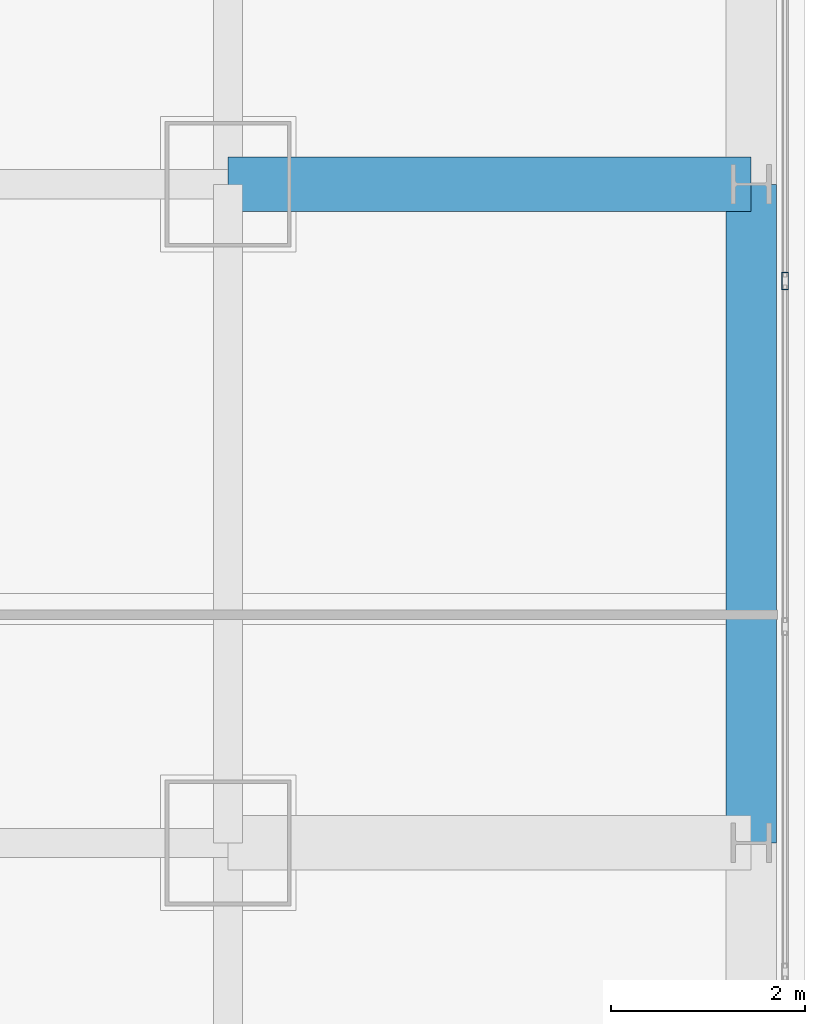
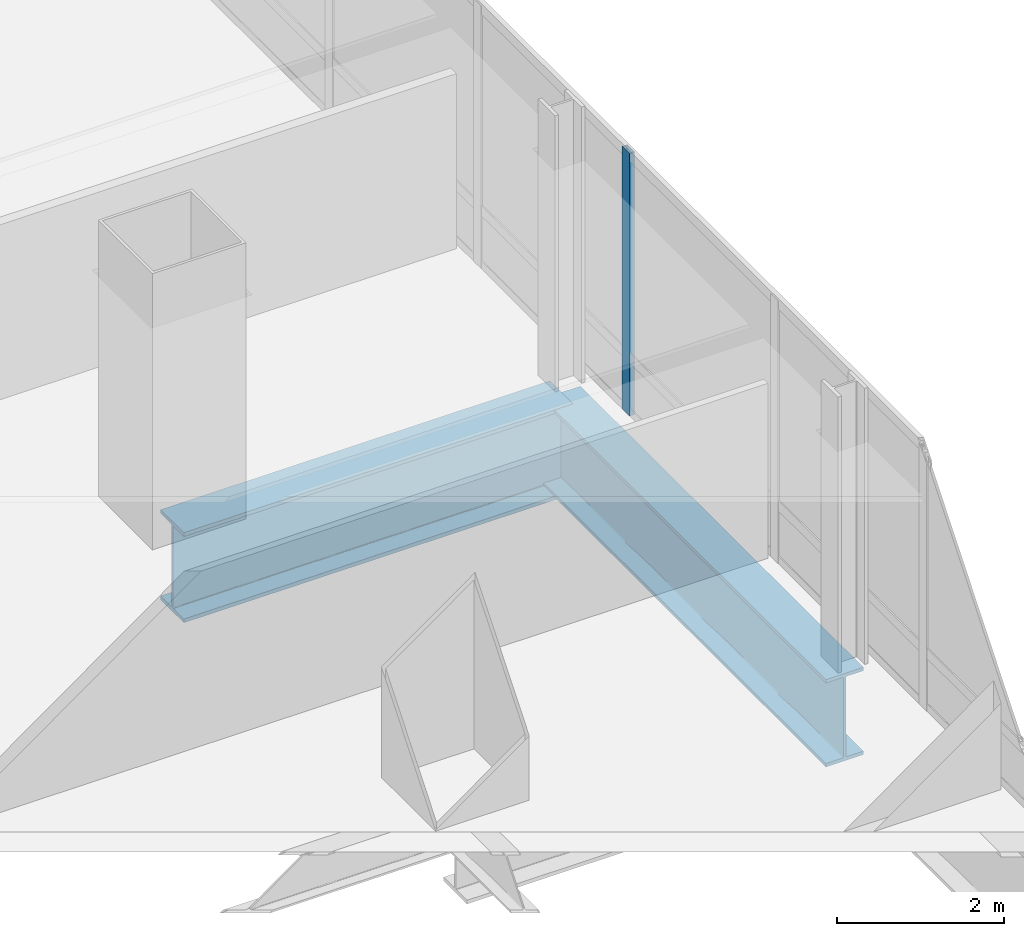
# One storey, part 19 of 42: 2 beams, 1 member, 1 element without a shape of its own.
"""IFC4 building model written with IfcOpenShell, lengths in metres."""

from ifc_helpers import new_model, si_unit, direction, frame, origin, origin_2d, place, context, subcontext, project, spatial, hollow_rectangle, i_section, extrude, material, material_profile, profile_set, type_object, element, aggregate, save


model = new_model("IFC4")

# Units and contexts
model_context = context("Model", 3, precision=1e-05, world=origin(), true_north=direction((0.0, 1.0)))
body_context = subcontext(model_context, "Body", "Model", "MODEL_VIEW")
ifc_project = project(units=[si_unit("LENGTHUNIT", "METRE"), si_unit("AREAUNIT", "SQUARE_METRE"), si_unit("VOLUMEUNIT", "CUBIC_METRE"), si_unit("PLANEANGLEUNIT", "RADIAN"), si_unit("MASSUNIT", "GRAM", prefix="KILO")], contexts=[model_context])

# Site, building, storey
site_placement = place(None, origin())
site = spatial("IfcSite", under=ifc_project, at=site_placement, CompositionType="ELEMENT")
building_placement = place(site_placement, origin())
building = spatial("IfcBuilding", under=site, at=building_placement, Name="Punatoya Terracotta Tower", CompositionType="ELEMENT")
storey_placement = place(building_placement, frame((0.0, 0.0, 263.550048828125)))
storey = spatial("IfcBuildingStorey", under=building, at=storey_placement, Name="L62", CompositionType="ELEMENT", Elevation=263.550048828125)

# Beams
ifc_material_1 = material(Name="Steel S460", Category="steel")
ifc_material_profile_1 = material_profile(ifc_material_1, i_section(OverallWidth=0.56005859375, OverallDepth=1.320068359375, WebThickness=0.035888671875, FlangeThickness=0.054931640625, FilletRadius=0.01806640625, at=origin_2d()))
ifc_profile_set_1 = profile_set([ifc_material_profile_1], Name="Steel S460")
beam_type_1 = type_object("IfcBeamType", Name="BM-TG-BLK", PredefinedType="BEAM", material=ifc_profile_set_1)
beam_1_placement = place(storey_placement, frame((19.10009765625, 3.39990234375, -0.860107421875), z_axis=(1.0, 0.0, 0.0), x_axis=(0.0, 1.0, 0.0)))
element("IfcBeam", 1, at=beam_1_placement, inside=storey, type_object=beam_type_1, Name="BM-L62-CANT-E3", PredefinedType="BEAM", context=body_context, shape_type="SweptSolid", body=[
    extrude(i_section(OverallWidth=0.56005859375, OverallDepth=1.320068359375, WebThickness=0.035888671875, FlangeThickness=0.054931640625, FilletRadius=0.01806640625, at=origin_2d()), origin(), (0.0, 0.0, 1.0), 5.39990234375),
])
ifc_material_profile_2 = material_profile(ifc_material_1, i_section(OverallWidth=0.52001953125, OverallDepth=1.280029296875, WebThickness=0.031982421875, FlangeThickness=0.050048828125, FilletRadius=0.01806640625, at=origin_2d()))
ifc_profile_set_2 = profile_set([ifc_material_profile_2], Name="Steel S460")
beam_type_2 = type_object("IfcBeamType", Name="BM-TG-NCK", PredefinedType="BEAM", material=ifc_profile_set_2)
beam_2_placement = place(storey_placement, frame((24.5, -3.39990234375, -0.840087890625), z_axis=(0.0, 1.0, 0.0), x_axis=(-1.0, 0.0, 0.0)))
element("IfcBeam", 2, at=beam_2_placement, inside=storey, type_object=beam_type_2, Name="BM-L62-PER-E2", PredefinedType="BEAM", context=body_context, shape_type="SweptSolid", body=[
    extrude(i_section(OverallWidth=0.52001953125, OverallDepth=1.280029296875, WebThickness=0.031982421875, FlangeThickness=0.050048828125, FilletRadius=0.01806640625, at=origin_2d()), origin(), (0.0, 0.0, 1.0), 6.7998046875),
])

# Curtain wall, member
ifc_material_2 = material(Name="Aluminium 6063-T6 + Double Low-E Glass", Category="aluminium")
curtain_wall_type = type_object("IfcCurtainWallType", Name="CW-M3", PredefinedType="NOTDEFINED", material=ifc_material_2)
curtain_wall_placement = place(storey_placement, origin())
curtain_wall = element("IfcCurtainWall", 3, at=curtain_wall_placement, inside=storey, type_object=curtain_wall_type, Name="L62 Curtain Wall CW-L62-E05-1", PredefinedType="NOTDEFINED")
ifc_material_3 = material(Name="Aluminium 6063-T6", Category="aluminium")
ifc_material_profile_3 = material_profile(ifc_material_3, hollow_rectangle(XDim=0.070068359375, YDim=0.179931640625, WallThickness=0.00390625, at=origin_2d()))
ifc_profile_set_3 = profile_set([ifc_material_profile_3], Name="Aluminium 6063-T6")
member_type = type_object("IfcMemberType", Name="CW-MUL-M3", PredefinedType="MULLION", material=ifc_profile_set_3)
member_placement = place(storey_placement, frame((24.85009765625, 2.39990234375, 0.0), z_axis=(0.0, 0.0, 1.0), x_axis=(1.0, 0.0, 0.0)))
member = element("IfcMember", 4, at=member_placement, type_object=member_type, Name="CW-L62-E05-1 Mullion 05", PredefinedType="MULLION", context=body_context, shape_type="SweptSolid", body=[
    extrude(hollow_rectangle(XDim=0.070068359375, YDim=0.179931640625, WallThickness=0.00390625, at=origin_2d()), origin(), (0.0, 0.0, 1.0), 3.849853515625),
])
aggregate(curtain_wall, [member])

save(model, "model.ifc")
